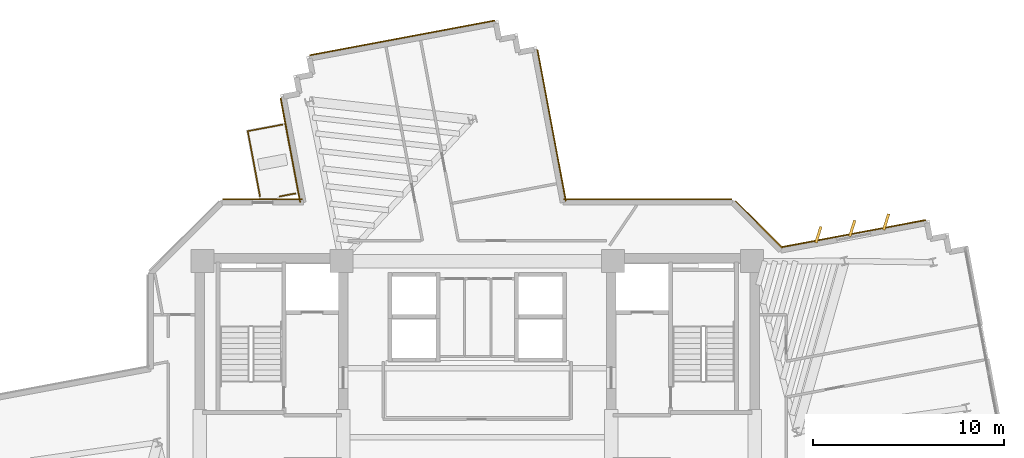
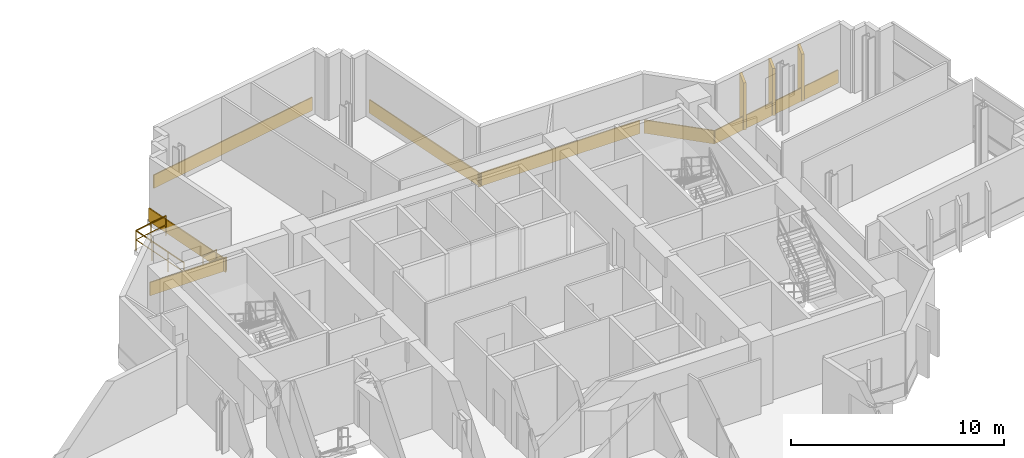
# One storey, part 16 of 16: 10 coverings, 3 railings.
"""IFC4 building model written with IfcOpenShell, lengths in metres."""

from ifc_helpers import new_model, si_unit, direction, frame, origin, origin_2d, place, context, subcontext, project, spatial, rectangle, extrude, source, transform, mapped, material, layer, layer_set, type_object, element, save


model = new_model("IFC4")

# Units and contexts
model_context = context("Model", 3, precision=1e-05, world=origin(), true_north=direction((0.0, 1.0)))
body_context = subcontext(model_context, "Body", "Model", "MODEL_VIEW")
ifc_project = project(units=[si_unit("LENGTHUNIT", "METRE"), si_unit("AREAUNIT", "SQUARE_METRE"), si_unit("VOLUMEUNIT", "CUBIC_METRE"), si_unit("PLANEANGLEUNIT", "RADIAN"), si_unit("MASSUNIT", "GRAM", prefix="KILO")], contexts=[model_context])

# Site, building, storey
site_placement = place(None, origin())
site = spatial("IfcSite", under=ifc_project, at=site_placement, CompositionType="ELEMENT")
building_placement = place(site_placement, origin())
building = spatial("IfcBuilding", under=site, at=building_placement, Name="Zahravan Cultural Tower", CompositionType="ELEMENT")
storey_placement = place(building_placement, frame((0.0, 0.0, 147.300048828125)))
storey = spatial("IfcBuildingStorey", under=building, at=storey_placement, Name="L33", CompositionType="ELEMENT", Elevation=147.300048828125)

# Railings
ifc_material_1 = material(Name="Steel ASTM A572 Grade 50", Category="steel")
railing_type = type_object("IfcRailingType", Name="RL-BAL-1150", PredefinedType="BALUSTRADE", material=ifc_material_1)
railing_1_placement = place(storey_placement, frame((24.01123046875, 42.9912109375, 0.0)))
element("IfcRailing", 1, at=railing_1_placement, inside=storey, type_object=railing_type, Name="L33 Edge Balustrade GRD-TR-L33-NW-01", PredefinedType="BALUSTRADE", context=body_context, shape_type="SweptSolid", body=[
    extrude(rectangle(XDim=0.05, YDim=0.05, at=origin_2d()), frame((0.0, 0.0, 1.125), z_axis=(0.98278843224, 0.184734667714, 0.0), x_axis=(-0.184734667714, 0.98278843224, 0.0)), (0.0, 0.0, 1.0), 1.85009765625),
    extrude(rectangle(XDim=0.032, YDim=0.032, at=origin_2d()), frame((0.0, 0.0, 0.597900390625), z_axis=(0.98278843224, 0.184734667714, 0.0), x_axis=(-0.184734667714, 0.98278843224, 0.0)), (0.0, 0.0, 1.0), 1.85009765625),
    extrude(rectangle(XDim=0.04, YDim=0.04, at=origin_2d()), origin(), (0.0, 0.0, 1.0), 1.14990234375),
    extrude(rectangle(XDim=0.04, YDim=0.04, at=origin_2d()), frame((0.9091796875, 0.1708984375, 0.0)), (0.0, 0.0, 1.0), 1.14990234375),
    extrude(rectangle(XDim=0.04, YDim=0.04, at=origin_2d()), frame((1.818359375, 0.341796875, 0.0)), (0.0, 0.0, 1.0), 1.14990234375),
])
railing_2_placement = place(storey_placement, frame((26.505126953125, 39.73583984375, 0.0)))
element("IfcRailing", 2, at=railing_2_placement, inside=storey, type_object=railing_type, Name="L33 Edge Balustrade GRD-TR-L33-NW-02", PredefinedType="BALUSTRADE", context=body_context, shape_type="SweptSolid", body=[
    extrude(rectangle(XDim=0.05, YDim=0.05, at=origin_2d()), frame((0.0, 0.0, 1.125), z_axis=(-0.982836160253, -0.184480573769, 0.0), x_axis=(0.184480573769, -0.982836160253, 0.0)), (0.0, 0.0, 1.0), 0.84423828125),
    extrude(rectangle(XDim=0.032, YDim=0.032, at=origin_2d()), frame((0.0, 0.0, 0.597900390625), z_axis=(-0.982836160253, -0.184480573769, 0.0), x_axis=(0.184480573769, -0.982836160253, 0.0)), (0.0, 0.0, 1.0), 0.84423828125),
    extrude(rectangle(XDim=0.04, YDim=0.04, at=origin_2d()), origin(), (0.0, 0.0, 1.0), 1.14990234375),
    extrude(rectangle(XDim=0.04, YDim=0.04, at=origin_2d()), frame((-0.829833984375, -0.15576171875, 0.0)), (0.0, 0.0, 1.0), 1.14990234375),
])
railing_3_placement = place(storey_placement, frame((24.652099609375, 39.580078125, 0.0)))
element("IfcRailing", 3, at=railing_3_placement, inside=storey, type_object=railing_type, Name="L33 Edge Balustrade GRD-TR-L33-NW-03", PredefinedType="BALUSTRADE", context=body_context, shape_type="SweptSolid", body=[
    extrude(rectangle(XDim=0.05, YDim=0.05, at=origin_2d()), frame((0.0, 0.0, 1.125), z_axis=(-0.184645271511, 0.982805231828, 0.0), x_axis=(-0.982805231828, -0.184645271511, 0.0)), (0.0, 0.0, 1.0), 3.470703125),
    extrude(rectangle(XDim=0.032, YDim=0.032, at=origin_2d()), frame((0.0, 0.0, 0.597900390625), z_axis=(-0.184645271511, 0.982805231828, 0.0), x_axis=(-0.982805231828, -0.184645271511, 0.0)), (0.0, 0.0, 1.0), 3.470703125),
    extrude(rectangle(XDim=0.04, YDim=0.04, at=origin_2d()), origin(), (0.0, 0.0, 1.0), 1.14990234375),
    extrude(rectangle(XDim=0.04, YDim=0.04, at=origin_2d()), frame((-0.213623046875, 1.136962890625, 0.0)), (0.0, 0.0, 1.0), 1.14990234375),
    extrude(rectangle(XDim=0.04, YDim=0.04, at=origin_2d()), frame((-0.42724609375, 2.274169921875, 0.0)), (0.0, 0.0, 1.0), 1.14990234375),
    extrude(rectangle(XDim=0.04, YDim=0.04, at=origin_2d()), frame((-0.640869140625, 3.4111328125, 0.0)), (0.0, 0.0, 1.0), 1.14990234375),
])

# Coverings
ifc_material_2 = material(Name="Terracotta ceramic cladding", Category="masonry")
ifc_layer = layer(ifc_material_2, 0.06005859375)
ifc_layer_set = layer_set([ifc_layer], Name="Terracotta ceramic cladding")
covering_type = type_object("IfcCoveringType", Name="COV-CLAD-TC60", PredefinedType="CLADDING", material=ifc_layer_set)
shared_shape_1 = source(origin(), body_context, "Body", "SweptSolid", [
    extrude(rectangle(XDim=9.820068359375, YDim=0.06005859375, at=origin_2d()), origin(), (0.0, 0.0, 1.0), 0.760009765625),
])
covering_1_placement = place(storey_placement, frame((32.0810546875, 47.860107421875, 0.02001953125), z_axis=(0.0, 0.0, 1.0), x_axis=(0.982806687355, 0.184637524056, 0.0)))
element("IfcCovering", 4, at=covering_1_placement, inside=storey, type_object=covering_type, Name="L33 Terracotta Spandrel Cladding 45", PredefinedType="CLADDING", context=body_context, shape_type="MappedRepresentation", body=[
    mapped(shared_shape_1, transform((0.0, 0.0, 0.0), x_axis=(1.0, 0.0, 0.0), y_axis=(0.0, 1.0, 0.0), z_axis=(0.0, 0.0, 1.0), scale=1.0)),
])
shared_shape_2 = source(origin(), body_context, "Body", "SweptSolid", [
    extrude(rectangle(XDim=0.8798828125, YDim=0.139892578125, at=origin_2d()), origin(), (0.0, 0.0, 1.0), 2.699951171875),
])
for number, where, z_axis, x_axis, name in (
    (5, (53.82080078125, 37.58251953125, 0.0498046875), (0.0, 0.0, 1.0), (0.298374534012, 0.954448865814, 0.0), "L33 Herringbone Terracotta Fin 01"),
    (6, (55.58984375, 37.914794921875, 0.0498046875), (0.0, 0.0, 1.0), (0.298374534012, 0.954448865814, 0.0), "L33 Herringbone Terracotta Fin 02"),
    (7, (57.35888671875, 38.2470703125, 0.0498046875), (0.0, 0.0, 1.0), (0.298374534012, 0.954448865814, 0.0), "L33 Herringbone Terracotta Fin 03"),
):
    element("IfcCovering", number, at=place(storey_placement, frame(where, z_axis=z_axis, x_axis=x_axis)), inside=storey, type_object=covering_type, Name=name, PredefinedType="CLADDING", context=body_context, shape_type="MappedRepresentation", body=[
        mapped(shared_shape_2, transform((0.0, 0.0, 0.0), x_axis=(1.0, 0.0, 0.0), y_axis=(0.0, 1.0, 0.0), z_axis=(0.0, 0.0, 1.0), scale=1.0)),
    ])
shared_shape_3 = source(origin(), body_context, "Body", "SweptSolid", [
    extrude(rectangle(XDim=7.683349609375, YDim=0.06005859375, at=origin_2d()), origin(), (0.0, 0.0, 1.0), 0.760009765625),
])
covering_2_placement = place(storey_placement, frame((55.642333984375, 37.634521484375, 0.02001953125), z_axis=(0.0, 0.0, 1.0), x_axis=(0.982806687355, 0.184637524056, 0.0)))
element("IfcCovering", 8, at=covering_2_placement, inside=storey, type_object=covering_type, Name="L33 Terracotta Spandrel Cladding 01", PredefinedType="CLADDING", context=body_context, shape_type="MappedRepresentation", body=[
    mapped(shared_shape_3, transform((0.0, 0.0, 0.0), x_axis=(1.0, 0.0, 0.0), y_axis=(0.0, 1.0, 0.0), z_axis=(0.0, 0.0, 1.0), scale=1.0)),
])
shared_shape_4 = source(origin(), body_context, "Body", "SweptSolid", [
    extrude(rectangle(XDim=4.162353515625, YDim=0.06005859375, at=origin_2d()), origin(), (0.0, 0.0, 1.0), 0.760009765625),
])
covering_3_placement = place(storey_placement, frame((24.7890625, 39.425048828125, 0.02001953125), z_axis=(0.0, 0.0, 1.0), x_axis=(1.0, 0.0, 0.0)))
element("IfcCovering", 9, at=covering_3_placement, inside=storey, type_object=covering_type, Name="L33 Terracotta Spandrel Cladding 39", PredefinedType="CLADDING", context=body_context, shape_type="MappedRepresentation", body=[
    mapped(shared_shape_4, transform((0.0, 0.0, 0.0), x_axis=(1.0, 0.0, 0.0), y_axis=(0.0, 1.0, 0.0), z_axis=(0.0, 0.0, 1.0), scale=1.0)),
])
shared_shape_5 = source(origin(), body_context, "Body", "SweptSolid", [
    extrude(rectangle(XDim=5.5341796875, YDim=0.06005859375, at=origin_2d()), origin(), (0.0, 0.0, 1.0), 0.760009765625),
])
covering_4_placement = place(storey_placement, frame((26.23779296875, 41.998291015625, 0.02001953125), z_axis=(0.0, 0.0, 1.0), x_axis=(-0.184654677241, 0.982803464673, 0.0)))
element("IfcCovering", 10, at=covering_4_placement, inside=storey, type_object=covering_type, Name="L33 Terracotta Spandrel Cladding 40", PredefinedType="CLADDING", context=body_context, shape_type="MappedRepresentation", body=[
    mapped(shared_shape_5, transform((0.0, 0.0, 0.0), x_axis=(1.0, 0.0, 0.0), y_axis=(0.0, 1.0, 0.0), z_axis=(0.0, 0.0, 1.0), scale=1.0)),
])
shared_shape_6 = source(origin(), body_context, "Body", "SweptSolid", [
    extrude(rectangle(XDim=8.03662109375, YDim=0.06005859375, at=origin_2d()), origin(), (0.0, 0.0, 1.0), 0.760009765625),
])
covering_5_placement = place(storey_placement, frame((39.88427734375, 43.288818359375, 0.02001953125), z_axis=(0.0, 0.0, 1.0), x_axis=(0.184637524056, -0.982806687355, 0.0)))
element("IfcCovering", 11, at=covering_5_placement, inside=storey, type_object=covering_type, Name="L33 Terracotta Spandrel Cladding 50", PredefinedType="CLADDING", context=body_context, shape_type="MappedRepresentation", body=[
    mapped(shared_shape_6, transform((0.0, 0.0, 0.0), x_axis=(1.0, 0.0, 0.0), y_axis=(0.0, 1.0, 0.0), z_axis=(0.0, 0.0, 1.0), scale=1.0)),
])
shared_shape_7 = source(origin(), body_context, "Body", "SweptSolid", [
    extrude(rectangle(XDim=8.768798828125, YDim=0.06005859375, at=origin_2d()), origin(), (0.0, 0.0, 1.0), 0.760009765625),
])
covering_6_placement = place(storey_placement, frame((44.90771484375, 39.425048828125, 0.02001953125), z_axis=(0.0, 0.0, 1.0), x_axis=(1.0, 0.0, 0.0)))
element("IfcCovering", 12, at=covering_6_placement, inside=storey, type_object=covering_type, Name="L33 Terracotta Spandrel Cladding 51", PredefinedType="CLADDING", context=body_context, shape_type="MappedRepresentation", body=[
    mapped(shared_shape_7, transform((0.0, 0.0, 0.0), x_axis=(1.0, 0.0, 0.0), y_axis=(0.0, 1.0, 0.0), z_axis=(0.0, 0.0, 1.0), scale=1.0)),
])
shared_shape_8 = source(origin(), body_context, "Body", "SweptSolid", [
    extrude(rectangle(XDim=3.444091796875, YDim=0.06005859375, at=origin_2d()), origin(), (0.0, 0.0, 1.0), 0.760009765625),
])
covering_7_placement = place(storey_placement, frame((50.711669921875, 38.12353515625, 0.02001953125), z_axis=(0.0, 0.0, 1.0), x_axis=(0.707106781187, -0.707106781187, 0.0)))
element("IfcCovering", 13, at=covering_7_placement, inside=storey, type_object=covering_type, Name="L33 Terracotta Spandrel Cladding 52", PredefinedType="CLADDING", context=body_context, shape_type="MappedRepresentation", body=[
    mapped(shared_shape_8, transform((0.0, 0.0, 0.0), x_axis=(1.0, 0.0, 0.0), y_axis=(0.0, 1.0, 0.0), z_axis=(0.0, 0.0, 1.0), scale=1.0)),
])

save(model, "model.ifc")
